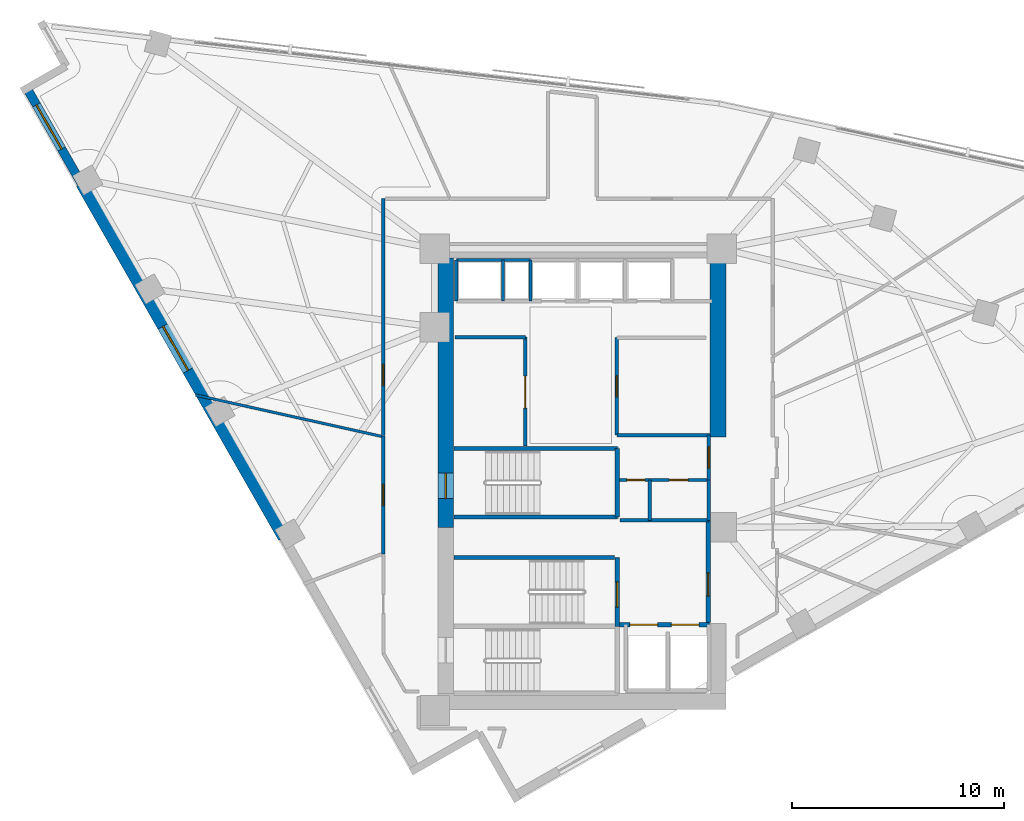
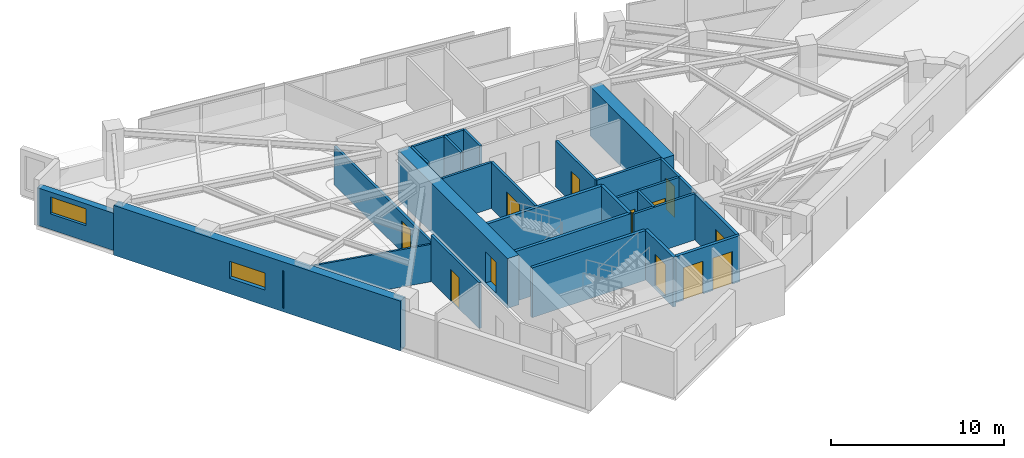
# One storey, part 9 of 13: 27 walls, 12 doors, 2 windows, 14 openings.
"""IFC4 building model written with IfcOpenShell, lengths in metres."""

from ifc_helpers import new_model, si_unit, direction, frame, frame_2d, origin, place, context, subcontext, project, spatial, rectangle, extrude, material, layer, layer_set, type_object, element, fill, save


model = new_model("IFC4")

# Units and contexts
model_context = context("Model", 3, precision=1e-05, world=origin(), true_north=direction((0.0, 1.0)))
body_context = subcontext(model_context, "Body", "Model", "MODEL_VIEW")
ifc_project = project(units=[si_unit("LENGTHUNIT", "METRE"), si_unit("AREAUNIT", "SQUARE_METRE"), si_unit("VOLUMEUNIT", "CUBIC_METRE"), si_unit("PLANEANGLEUNIT", "RADIAN"), si_unit("MASSUNIT", "GRAM", prefix="KILO")], contexts=[model_context])

# Site, building, storey
site_placement = place(None, origin())
site = spatial("IfcSite", under=ifc_project, at=site_placement, CompositionType="ELEMENT")
building_placement = place(site_placement, origin())
building = spatial("IfcBuilding", under=site, at=building_placement, Name="Narakoshi Arena Tower", CompositionType="ELEMENT")
storey_placement = place(building_placement, frame((0.0, 0.0, 225.5400390625)))
storey = spatial("IfcBuildingStorey", under=building, at=storey_placement, Name="L61", CompositionType="ELEMENT", Elevation=225.5400390625)

# Wall, opening, door
ifc_material_1 = material(Name="Concrete C50/60", Category="concrete")
ifc_layer_1 = layer(ifc_material_1, 0.75)
ifc_layer_set_1 = layer_set([ifc_layer_1], Name="Concrete C50/60")
wall_type_1 = type_object("IfcWallType", Name="WL-CORE-750", PredefinedType="SHEAR", material=ifc_layer_set_1)
wall_1_placement = place(storey_placement, frame((72.52490234375, 43.35009765625, -0.260009765625), z_axis=(0.0, 0.0, 1.0), x_axis=(0.0, 1.0, 0.0)))
wall_1 = element("IfcWall", 1, at=wall_1_placement, inside=storey, type_object=wall_type_1, Name="L61 Main Core Shear Wall CW-MN-W", PredefinedType="SHEAR", context=body_context, shape_type="SweptSolid", body=[
    extrude(rectangle(XDim=12.699951171875, YDim=0.75, at=frame_2d((6.35009765625, 0.0))), origin(), (0.0, 0.0, 1.0), 3.52001953125),
])
opening_1_placement = place(wall_1_placement, frame((1.35009765625, 0.0, 0.260009765625)))
opening_1 = element("IfcOpeningElement", 2, at=opening_1_placement, cuts=wall_1, Name="Opening D-03", PredefinedType="OPENING", context=body_context, shape_type="SweptSolid", body=[
    extrude(rectangle(XDim=1.199951171875, YDim=2.199951171875, at=frame_2d((0.60009765625, 1.10009765625))), frame((0.0, 0.385009765625, 0.0), z_axis=(0.0, -1.0, 0.0), x_axis=(1.0, 0.0, 0.0)), (0.0, 0.0, 1.0), 0.77001953125),
])
ifc_material_2 = material(Name="Painted galvanized steel", Category="steel")
door_type_1 = type_object("IfcDoorType", Name="DR-STR-1200", OperationType="NOTDEFINED", PredefinedType="USERDEFINED", material=ifc_material_2)
door_1_placement = place(opening_1_placement, frame((1.199951171875, 0.0, 0.0), z_axis=(0.0, 0.0, 1.0), x_axis=(-1.0, 0.0, 0.0)))
door_1 = element("IfcDoor", 3, at=door_1_placement, inside=storey, type_object=door_type_1, Name="DR-L61-006", ObjectType="EXITDOOR", OperationType="SINGLE_SWING_LEFT", OverallHeight=2.199951171875, OverallWidth=1.199951171875, PredefinedType="USERDEFINED", context=body_context, shape_type="SweptSolid", body=[
    extrude(rectangle(XDim=1.199951171875, YDim=2.199951171875, at=frame_2d((0.60009765625, 1.10009765625))), frame((0.0, 0.02490234375, 0.0), z_axis=(0.0, -1.0, 0.0), x_axis=(1.0, 0.0, 0.0)), (0.0, 0.0, 1.0), 0.050048828125),
])
fill(opening_1, door_1)

# Wall
wall_2_placement = place(storey_placement, frame((85.375, 47.60009765625, -0.260009765625), z_axis=(0.0, 0.0, 1.0), x_axis=(0.0, 1.0, 0.0)))
element("IfcWall", 4, at=wall_2_placement, inside=storey, type_object=wall_type_1, Name="L61 Main Core Shear Wall CW-MN-E", PredefinedType="SHEAR", context=body_context, shape_type="SweptSolid", body=[
    extrude(rectangle(XDim=8.449951171875, YDim=0.75, at=frame_2d((4.22509765625, 0.0))), origin(), (0.0, 0.0, 1.0), 3.52001953125),
])

# Wall, opening, door
ifc_material_3 = material(Name="Gypsum plasterboard fire-rated partition")
ifc_layer_2 = layer(ifc_material_3, 0.1650390625)
ifc_layer_set_2 = layer_set([ifc_layer_2], Name="Gypsum plasterboard fire-rated partition")
wall_type_2 = type_object("IfcWallType", Name="WL-CORR-165", PredefinedType="PARTITIONING", material=ifc_layer_set_2)
wall_3_placement = place(storey_placement, frame((84.949951171875, 45.580078125, 0.0), z_axis=(0.0, 0.0, 1.0), x_axis=(0.0, 1.0, 0.0)))
wall_3 = element("IfcWall", 5, at=wall_3_placement, inside=storey, type_object=wall_type_2, Name="L61 Core Wall CPAS-E", PredefinedType="PARTITIONING", context=body_context, shape_type="SweptSolid", body=[
    extrude(rectangle(XDim=2.119873046875, YDim=0.1650390625, at=frame_2d((1.06005859375, 0.0))), origin(), (0.0, 0.0, 1.0), 3.260009765625),
])
opening_2_placement = place(wall_3_placement, frame((0.56005859375, 0.0, 0.0)))
opening_2 = element("IfcOpeningElement", 6, at=opening_2_placement, cuts=wall_3, Name="Opening D-06", PredefinedType="OPENING", context=body_context, shape_type="SweptSolid", body=[
    extrude(rectangle(XDim=1.0, YDim=2.199951171875, at=frame_2d((0.5, 1.10009765625))), frame((0.0, 0.092529296875, 0.0), z_axis=(0.0, -1.0, 0.0), x_axis=(1.0, 0.0, 0.0)), (0.0, 0.0, 1.0), 0.18505859375),
])
ifc_material_4 = material(Name="Stained oak solid-core timber", Category="wood")
door_type_2 = type_object("IfcDoorType", Name="DR-OFF-1000", OperationType="NOTDEFINED", PredefinedType="DOOR", material=ifc_material_4)
door_2_placement = place(opening_2_placement, frame((1.0, 0.0, 0.0), z_axis=(0.0, 0.0, 1.0), x_axis=(-1.0, 0.0, 0.0)))
door_2 = element("IfcDoor", 7, at=door_2_placement, inside=storey, type_object=door_type_2, Name="DR-L61-007", OperationType="SINGLE_SWING_LEFT", OverallHeight=2.199951171875, OverallWidth=1.0, PredefinedType="DOOR", context=body_context, shape_type="SweptSolid", body=[
    extrude(rectangle(XDim=1.0, YDim=2.199951171875, at=frame_2d((0.5, 1.10009765625))), frame((0.0, 0.02490234375, 0.0), z_axis=(0.0, -1.0, 0.0), x_axis=(1.0, 0.0, 0.0)), (0.0, 0.0, 1.0), 0.050048828125),
])
fill(opening_2, door_2)

wall_4_placement = place(storey_placement, frame((69.583251953125, 47.65625, 0.0), z_axis=(0.0, 0.0, 1.0), x_axis=(0.0, -1.0, 0.0)))
wall_4 = element("IfcWall", 8, at=wall_4_placement, inside=storey, type_object=wall_type_2, Name="L61 Corridor Partition 01-1", PredefinedType="PARTITIONING", context=body_context, shape_type="SweptSolid", body=[
    extrude(rectangle(XDim=5.572265625, YDim=0.1650390625, at=frame_2d((2.7861328125, 0.0))), origin(), (0.0, 0.0, 1.0), 3.260009765625),
])
opening_3_placement = place(wall_4_placement, frame((2.2861328125, 0.0, 0.0)))
opening_3 = element("IfcOpeningElement", 9, at=opening_3_placement, cuts=wall_4, Name="Opening D-06", PredefinedType="OPENING", context=body_context, shape_type="SweptSolid", body=[
    extrude(rectangle(XDim=1.0, YDim=2.199951171875, at=frame_2d((0.5, 1.10009765625))), frame((0.0, 0.092529296875, 0.0), z_axis=(0.0, -1.0, 0.0), x_axis=(1.0, 0.0, 0.0)), (0.0, 0.0, 1.0), 0.18505859375),
])
door_3_placement = place(opening_3_placement, frame((1.0, 0.0, 0.0), z_axis=(0.0, 0.0, 1.0), x_axis=(-1.0, 0.0, 0.0)))
door_3 = element("IfcDoor", 10, at=door_3_placement, inside=storey, type_object=door_type_2, Name="DR-L61-015", OperationType="SINGLE_SWING_LEFT", OverallHeight=2.199951171875, OverallWidth=1.0, PredefinedType="DOOR", context=body_context, shape_type="SweptSolid", body=[
    extrude(rectangle(XDim=1.0, YDim=2.199951171875, at=frame_2d((0.5, 1.10009765625))), frame((0.0, 0.02490234375, 0.0), z_axis=(0.0, -1.0, 0.0), x_axis=(1.0, 0.0, 0.0)), (0.0, 0.0, 1.0), 0.050048828125),
])
fill(opening_3, door_3)

wall_5_placement = place(storey_placement, frame((69.583251953125, 58.86669921875, 0.0), z_axis=(0.0, 0.0, 1.0), x_axis=(0.0, -1.0, 0.0)))
wall_5 = element("IfcWall", 11, at=wall_5_placement, inside=storey, type_object=wall_type_2, Name="L61 Corridor Partition 09-1", PredefinedType="PARTITIONING", context=body_context, shape_type="SweptSolid", body=[
    extrude(rectangle(XDim=11.185791015625, YDim=0.1650390625, at=frame_2d((5.5927734375, 0.0))), origin(), (0.0, 0.0, 1.0), 2.744873046875),
])
opening_4_placement = place(wall_5_placement, frame((7.8330078125, 0.0, 0.0)))
opening_4 = element("IfcOpeningElement", 12, at=opening_4_placement, cuts=wall_5, Name="Opening D-06", PredefinedType="OPENING", context=body_context, shape_type="SweptSolid", body=[
    extrude(rectangle(XDim=1.0, YDim=2.199951171875, at=frame_2d((0.5, 1.10009765625))), frame((0.0, 0.092529296875, 0.0), z_axis=(0.0, -1.0, 0.0), x_axis=(1.0, 0.0, 0.0)), (0.0, 0.0, 1.0), 0.18505859375),
])
door_4_placement = place(opening_4_placement, frame((1.0, 0.0, 0.0), z_axis=(0.0, 0.0, 1.0), x_axis=(-1.0, 0.0, 0.0)))
door_4 = element("IfcDoor", 13, at=door_4_placement, inside=storey, type_object=door_type_2, Name="DR-L61-023", OperationType="SINGLE_SWING_LEFT", OverallHeight=2.199951171875, OverallWidth=1.0, PredefinedType="DOOR", context=body_context, shape_type="SweptSolid", body=[
    extrude(rectangle(XDim=1.0, YDim=2.199951171875, at=frame_2d((0.5, 1.10009765625))), frame((0.0, 0.02490234375, 0.0), z_axis=(0.0, -1.0, 0.0), x_axis=(1.0, 0.0, 0.0)), (0.0, 0.0, 1.0), 0.050048828125),
])
fill(opening_4, door_4)

# Wall, opening, window
ifc_layer_3 = layer(ifc_material_1, 0.550048828125)
ifc_layer_set_3 = layer_set([ifc_layer_3], Name="Concrete C50/60")
wall_type_3 = type_object("IfcWallType", Name="WL-LEG-550", PredefinedType="SHEAR", material=ifc_layer_set_3)
wall_6_placement = place(storey_placement, frame((55.3251953125, 59.5703125, -0.260009765625), z_axis=(0.0, 0.0, 1.0), x_axis=(0.496211351597, -0.868201759124, 0.0)))
wall_6 = element("IfcWall", 14, at=wall_6_placement, inside=storey, type_object=wall_type_3, Name="L61 Architectural Concrete Structural Wall LEGB-2", PredefinedType="SHEAR", context=body_context, shape_type="SweptSolid", body=[
    extrude(rectangle(XDim=19.242919921875, YDim=0.550048828125, at=frame_2d((9.62158203125, 0.0))), origin(), (0.0, 0.0, 1.0), 3.52001953125),
])
opening_5_placement = place(wall_6_placement, frame((7.7568359375, 0.0, 1.10009765625)))
opening_5 = element("IfcOpeningElement", 15, at=opening_5_placement, cuts=wall_6, Name="Opening WN-04", PredefinedType="OPENING", context=body_context, shape_type="SweptSolid", body=[
    extrude(rectangle(XDim=2.39990234375, YDim=1.199951171875, at=frame_2d((1.199951171875, 0.60009765625))), frame((0.0, 0.284912109375, 0.0), z_axis=(0.0, -1.0, 0.0), x_axis=(1.0, 0.0, 0.0)), (0.0, 0.0, 1.0), 0.570068359375),
])
ifc_material_5 = material(Name="Bronze-tinted low-E laminated glass", Category="glass")
window_type = type_object("IfcWindowType", Name="WIN-SLT-24x12", PartitioningType="SINGLE_PANEL", PredefinedType="WINDOW", material=ifc_material_5)
window_1_placement = place(opening_5_placement, origin())
window_1 = element("IfcWindow", 16, at=window_1_placement, inside=storey, type_object=window_type, Name="L61 LEGB2 Horizontal Slot Window 1", OverallHeight=1.199951171875, OverallWidth=2.39990234375, PartitioningType="SINGLE_PANEL", PredefinedType="WINDOW", context=body_context, shape_type="SweptSolid", body=[
    extrude(rectangle(XDim=2.39990234375, YDim=1.199951171875, at=frame_2d((1.199951171875, 0.60009765625))), frame((0.0, 0.030029296875, 0.0), z_axis=(0.0, -1.0, 0.0), x_axis=(1.0, 0.0, 0.0)), (0.0, 0.0, 1.0), 0.06005859375),
])
fill(opening_5, window_1)

# Wall
ifc_layer_4 = layer(ifc_material_3, 0.125)
ifc_layer_set_4 = layer_set([ifc_layer_4], Name="Gypsum plasterboard fire-rated partition")
wall_type_4 = type_object("IfcWallType", Name="WL-PART-125", PredefinedType="PARTITIONING", material=ifc_layer_set_4)
wall_7_placement = place(storey_placement, frame((60.711181640625, 49.59228515625, 0.0), z_axis=(0.0, 0.0, 1.0), x_axis=(0.976196003544, -0.216890208781, 0.0)))
element("IfcWall", 17, at=wall_7_placement, inside=storey, type_object=wall_type_4, Name="L61 Inter-Room Partition 01-09", PredefinedType="PARTITIONING", context=body_context, shape_type="SweptSolid", body=[
    extrude(rectangle(XDim=8.99169921875, YDim=0.125, at=frame_2d((4.495849609375, 0.0))), origin(), (0.0, 0.0, 1.0), 2.64501953125),
])

# Wall, opening, window
ifc_material_6 = material(Name="Precast concrete C45/55", Category="concrete")
ifc_layer_5 = layer(ifc_material_6, 0.419921875)
ifc_layer_set_5 = layer_set([ifc_layer_5], Name="Precast concrete C45/55")
wall_type_5 = type_object("IfcWallType", Name="WL-POD-420", PredefinedType="SOLIDWALL", material=ifc_layer_set_5)
wall_8_placement = place(storey_placement, frame((52.75439453125, 64.068359375, 0.0), z_axis=(0.0, 0.0, 1.0), x_axis=(0.496209984367, -0.868202540548, 0.0)))
wall_8 = element("IfcWall", 18, at=wall_8_placement, inside=storey, type_object=wall_type_5, Name="L61 Architectural Concrete Facade Wall LEGB-1", PredefinedType="SOLIDWALL", context=body_context, shape_type="SweptSolid", body=[
    extrude(rectangle(XDim=5.180908203125, YDim=0.419921875, at=frame_2d((2.59033203125, 0.0))), origin(), (0.0, 0.0, 1.0), 2.64501953125),
])
opening_6_placement = place(wall_8_placement, frame((0.89990234375, 0.0, 1.10009765625)))
opening_6 = element("IfcOpeningElement", 19, at=opening_6_placement, cuts=wall_8, Name="Opening WN-04", PredefinedType="OPENING", context=body_context, shape_type="SweptSolid", body=[
    extrude(rectangle(XDim=2.39990234375, YDim=1.199951171875, at=frame_2d((1.199951171875, 0.60009765625))), frame((0.0, 0.219970703125, 0.0), z_axis=(0.0, -1.0, 0.0), x_axis=(1.0, 0.0, 0.0)), (0.0, 0.0, 1.0), 0.43994140625),
])
window_2_placement = place(opening_6_placement, origin())
window_2 = element("IfcWindow", 20, at=window_2_placement, inside=storey, type_object=window_type, Name="L61 LEGB1 Horizontal Slot Window 1", OverallHeight=1.199951171875, OverallWidth=2.39990234375, PartitioningType="SINGLE_PANEL", PredefinedType="WINDOW", context=body_context, shape_type="SweptSolid", body=[
    extrude(rectangle(XDim=2.39990234375, YDim=1.199951171875, at=frame_2d((1.199951171875, 0.60009765625))), frame((0.0, 0.030029296875, 0.0), z_axis=(0.0, -1.0, 0.0), x_axis=(1.0, 0.0, 0.0)), (0.0, 0.0, 1.0), 0.06005859375),
])
fill(opening_6, window_2)

# Wall
ifc_material_7 = material(Name="Concrete C40/50", Category="concrete")
ifc_layer_6 = layer(ifc_material_7, 0.280029296875)
ifc_layer_set_6 = layer_set([ifc_layer_6], Name="Concrete C40/50")
wall_type_6 = type_object("IfcWallType", Name="WL-RISER-280", PredefinedType="PLUMBINGWALL", material=ifc_layer_set_6)
wall_9_placement = place(storey_placement, frame((84.949951171875, 43.679931640625, 0.0), z_axis=(0.0, 0.0, 1.0), x_axis=(0.0, 1.0, 0.0)))
element("IfcWall", 21, at=wall_9_placement, inside=storey, type_object=wall_type_6, Name="L61 Core Wall RSR-E", PredefinedType="PLUMBINGWALL", context=body_context, shape_type="SweptSolid", body=[
    extrude(rectangle(XDim=1.900146484375, YDim=0.1650390625, at=frame_2d((0.9501953125, 0.0))), origin(), (0.0, 0.0, 1.0), 3.260009765625),
])

# Wall, openings, doors
wall_10_placement = place(storey_placement, frame((80.719970703125, 45.580078125, 0.0), z_axis=(0.0, 0.0, 1.0), x_axis=(1.0, 0.0, 0.0)))
wall_10 = element("IfcWall", 22, at=wall_10_placement, inside=storey, type_object=wall_type_6, Name="L61 Core Wall RSR-N", PredefinedType="PLUMBINGWALL", context=body_context, shape_type="SweptSolid", body=[
    extrude(rectangle(XDim=4.22998046875, YDim=0.159912109375, at=frame_2d((2.114990234375, 0.0))), origin(), (0.0, 0.0, 1.0), 3.260009765625),
])
opening_7_placement = place(wall_10_placement, frame((0.35009765625, 0.0, 0.0)))
opening_7 = element("IfcOpeningElement", 23, at=opening_7_placement, cuts=wall_10, Name="Opening D-10", PredefinedType="OPENING", context=body_context, shape_type="SweptSolid", body=[
    extrude(rectangle(XDim=0.85009765625, YDim=2.050048828125, at=frame_2d((0.425048828125, 1.02490234375))), frame((0.0, 0.08984375, 0.0), z_axis=(0.0, -1.0, 0.0), x_axis=(1.0, 0.0, 0.0)), (0.0, 0.0, 1.0), 0.179931640625),
])
opening_8_placement = place(wall_10_placement, frame((2.35009765625, 0.0, 0.0)))
opening_8 = element("IfcOpeningElement", 24, at=opening_8_placement, cuts=wall_10, Name="Opening D-08", PredefinedType="OPENING", context=body_context, shape_type="SweptSolid", body=[
    extrude(rectangle(XDim=0.89990234375, YDim=2.10009765625, at=frame_2d((0.449951171875, 1.050048828125))), frame((0.0, 0.08984375, 0.0), z_axis=(0.0, -1.0, 0.0), x_axis=(1.0, 0.0, 0.0)), (0.0, 0.0, 1.0), 0.179931640625),
])
door_type_3 = type_object("IfcDoorType", Name="DR-RSR-850", OperationType="NOTDEFINED", PredefinedType="DOOR", material=ifc_material_2)
door_5_placement = place(opening_7_placement, frame((0.85009765625, 0.0, 0.0), z_axis=(0.0, 0.0, 1.0), x_axis=(-1.0, 0.0, 0.0)))
door_5 = element("IfcDoor", 25, at=door_5_placement, inside=storey, type_object=door_type_3, Name="DR-L61-008", OperationType="SINGLE_SWING_LEFT", OverallHeight=2.050048828125, OverallWidth=0.85009765625, PredefinedType="DOOR", context=body_context, shape_type="SweptSolid", body=[
    extrude(rectangle(XDim=0.85009765625, YDim=2.050048828125, at=frame_2d((0.425048828125, 1.02490234375))), frame((0.0, 0.02490234375, 0.0), z_axis=(0.0, -1.0, 0.0), x_axis=(1.0, 0.0, 0.0)), (0.0, 0.0, 1.0), 0.050048828125),
])
fill(opening_7, door_5)
ifc_material_8 = material(Name="Moisture-resistant laminate timber", Category="wood")
door_type_4 = type_object("IfcDoorType", Name="DR-WC-900", OperationType="NOTDEFINED", PredefinedType="DOOR", material=ifc_material_8)
door_6_placement = place(opening_8_placement, frame((0.89990234375, 0.0, 0.0), z_axis=(0.0, 0.0, 1.0), x_axis=(-1.0, 0.0, 0.0)))
door_6 = element("IfcDoor", 26, at=door_6_placement, inside=storey, type_object=door_type_4, Name="DR-L61-009", OperationType="SINGLE_SWING_RIGHT", OverallHeight=2.10009765625, OverallWidth=0.89990234375, PredefinedType="DOOR", context=body_context, shape_type="SweptSolid", body=[
    extrude(rectangle(XDim=0.89990234375, YDim=2.10009765625, at=frame_2d((0.449951171875, 1.050048828125))), frame((0.0, 0.02490234375, 0.0), z_axis=(0.0, -1.0, 0.0), x_axis=(1.0, 0.0, 0.0)), (0.0, 0.0, 1.0), 0.050048828125),
])
fill(opening_8, door_6)

# Walls
wall_11_placement = place(storey_placement, frame((80.760009765625, 43.679931640625, 0.0), z_axis=(0.0, 0.0, 1.0), x_axis=(1.0, 0.0, 0.0)))
element("IfcWall", 27, at=wall_11_placement, inside=storey, type_object=wall_type_6, Name="L61 Core Wall RSR-S", PredefinedType="PLUMBINGWALL", context=body_context, shape_type="SweptSolid", body=[
    extrude(rectangle(XDim=4.18994140625, YDim=0.159912109375, at=frame_2d((2.094970703125, 0.0))), origin(), (0.0, 0.0, 1.0), 3.260009765625),
])
wall_12_placement = place(storey_placement, frame((82.14990234375, 43.679931640625, 0.0), z_axis=(0.0, 0.0, 1.0), x_axis=(0.0, 1.0, 0.0)))
element("IfcWall", 28, at=wall_12_placement, inside=storey, type_object=wall_type_6, Name="L61 Core Wall RSR-M", PredefinedType="PLUMBINGWALL", context=body_context, shape_type="SweptSolid", body=[
    extrude(rectangle(XDim=1.900146484375, YDim=0.159912109375, at=frame_2d((0.9501953125, 0.0))), origin(), (0.0, 0.0, 1.0), 3.260009765625),
])
for number, where, z_axis, x_axis, name in (
    (29, (73.02001953125, 54.02001953125, 0.0), (0.0, 0.0, 1.0), (0.0, 1.0, 0.0), "L61 Core Wall OBS-W"),
    (30, (75.219970703125, 54.02001953125, 0.0), (0.0, 0.0, 1.0), (0.0, 1.0, 0.0), "L61 Core Wall OBS-M"),
):
    element("IfcWall", number, at=place(storey_placement, frame(where, z_axis=z_axis, x_axis=x_axis)), inside=storey, type_object=wall_type_6, Name=name, PredefinedType="PLUMBINGWALL", context=body_context, shape_type="SweptSolid", body=[
        extrude(rectangle(XDim=1.93994140625, YDim=0.14990234375, at=frame_2d((0.969970703125, 0.0))), origin(), (0.0, 0.0, 1.0), 3.260009765625),
    ])

# Wall, opening, door
ifc_layer_7 = layer(ifc_material_1, 0.35009765625)
ifc_layer_set_7 = layer_set([ifc_layer_7], Name="Concrete C50/60")
wall_type_7 = type_object("IfcWallType", Name="WL-SHAFT-350", PredefinedType="SOLIDWALL", material=ifc_layer_set_7)
wall_13_placement = place(storey_placement, frame((80.6201171875, 38.675048828125, -0.260009765625), z_axis=(0.0, 0.0, 1.0), x_axis=(0.0, 1.0, 0.0)))
wall_13 = element("IfcWall", 31, at=wall_13_placement, inside=storey, type_object=wall_type_7, Name="L61 Core Wall ST2-E", PredefinedType="SOLIDWALL", context=body_context, shape_type="SweptSolid", body=[
    extrude(rectangle(XDim=3.244873046875, YDim=0.199951171875, at=frame_2d((1.62255859375, 0.0))), origin(), (0.0, 0.0, 1.0), 3.52001953125),
])
opening_9_placement = place(wall_13_placement, frame((0.89990234375, 0.0, 0.260009765625)))
opening_9 = element("IfcOpeningElement", 32, at=opening_9_placement, cuts=wall_13, Name="Opening D-03", PredefinedType="OPENING", context=body_context, shape_type="SweptSolid", body=[
    extrude(rectangle(XDim=1.199951171875, YDim=2.199951171875, at=frame_2d((0.60009765625, 1.10009765625))), frame((0.0, 0.10986328125, 0.0), z_axis=(0.0, -1.0, 0.0), x_axis=(1.0, 0.0, 0.0)), (0.0, 0.0, 1.0), 0.219970703125),
])
door_7_placement = place(opening_9_placement, origin())
door_7 = element("IfcDoor", 33, at=door_7_placement, inside=storey, type_object=door_type_1, Name="DR-L61-002", ObjectType="EXITDOOR", OperationType="SINGLE_SWING_RIGHT", OverallHeight=2.199951171875, OverallWidth=1.199951171875, PredefinedType="USERDEFINED", context=body_context, shape_type="SweptSolid", body=[
    extrude(rectangle(XDim=1.199951171875, YDim=2.199951171875, at=frame_2d((0.60009765625, 1.10009765625))), frame((0.0, 0.02490234375, 0.0), z_axis=(0.0, -1.0, 0.0), x_axis=(1.0, 0.0, 0.0)), (0.0, 0.0, 1.0), 0.050048828125),
])
fill(opening_9, door_7)

# Wall, openings, doors
wall_14_placement = place(storey_placement, frame((80.719970703125, 38.75, 0.0), z_axis=(0.0, 0.0, 1.0), x_axis=(1.0, 0.0, 0.0)))
wall_14 = element("IfcWall", 34, at=wall_14_placement, inside=storey, type_object=wall_type_7, Name="L61 Core Wall FF-N", PredefinedType="SOLIDWALL", context=body_context, shape_type="SweptSolid", body=[
    extrude(rectangle(XDim=4.260009765625, YDim=0.199951171875, at=frame_2d((2.1298828125, 0.0))), origin(), (0.0, 0.0, 1.0), 3.260009765625),
])
opening_10_placement = place(wall_14_placement, frame((0.5, 0.0, 0.0)))
opening_10 = element("IfcOpeningElement", 35, at=opening_10_placement, cuts=wall_14, Name="Opening LD-02", PredefinedType="OPENING", context=body_context, shape_type="SweptSolid", body=[
    extrude(rectangle(XDim=1.300048828125, YDim=2.300048828125, at=frame_2d((0.64990234375, 1.14990234375))), frame((0.0, 0.10986328125, 0.0), z_axis=(0.0, -1.0, 0.0), x_axis=(1.0, 0.0, 0.0)), (0.0, 0.0, 1.0), 0.219970703125),
])
opening_11_placement = place(wall_14_placement, frame((2.449951171875, 0.0, 0.0)))
opening_11 = element("IfcOpeningElement", 36, at=opening_11_placement, cuts=wall_14, Name="Opening LD-02", PredefinedType="OPENING", context=body_context, shape_type="SweptSolid", body=[
    extrude(rectangle(XDim=1.300048828125, YDim=2.300048828125, at=frame_2d((0.64990234375, 1.14990234375))), frame((0.0, 0.10986328125, 0.0), z_axis=(0.0, -1.0, 0.0), x_axis=(1.0, 0.0, 0.0)), (0.0, 0.0, 1.0), 0.219970703125),
])
ifc_material_9 = material(Name="Brushed bronze stainless steel", Category="steel")
door_type_5 = type_object("IfcDoorType", Name="DR-LFT-1300", OperationType="DOUBLE_DOOR_SLIDING", PredefinedType="DOOR", material=ifc_material_9)
door_8_placement = place(opening_10_placement, origin())
door_8 = element("IfcDoor", 37, at=door_8_placement, inside=storey, type_object=door_type_5, Name="DR-L61-003", OperationType="DOUBLE_DOOR_SLIDING", OverallHeight=2.300048828125, OverallWidth=1.300048828125, PredefinedType="DOOR", context=body_context, shape_type="SweptSolid", body=[
    extrude(rectangle(XDim=1.300048828125, YDim=2.300048828125, at=frame_2d((0.64990234375, 1.14990234375))), frame((0.0, 0.02490234375, 0.0), z_axis=(0.0, -1.0, 0.0), x_axis=(1.0, 0.0, 0.0)), (0.0, 0.0, 1.0), 0.050048828125),
])
fill(opening_10, door_8)
door_9_placement = place(opening_11_placement, origin())
door_9 = element("IfcDoor", 38, at=door_9_placement, inside=storey, type_object=door_type_5, Name="DR-L61-004", OperationType="DOUBLE_DOOR_SLIDING", OverallHeight=2.300048828125, OverallWidth=1.300048828125, PredefinedType="DOOR", context=body_context, shape_type="SweptSolid", body=[
    extrude(rectangle(XDim=1.300048828125, YDim=2.300048828125, at=frame_2d((0.64990234375, 1.14990234375))), frame((0.0, 0.02490234375, 0.0), z_axis=(0.0, -1.0, 0.0), x_axis=(1.0, 0.0, 0.0)), (0.0, 0.0, 1.0), 0.050048828125),
])
fill(opening_11, door_9)

# Wall, opening, door
wall_15_placement = place(storey_placement, frame((84.919921875, 38.85009765625, 0.0), z_axis=(0.0, 0.0, 1.0), x_axis=(0.0, 1.0, 0.0)))
wall_15 = element("IfcWall", 39, at=wall_15_placement, inside=storey, type_object=wall_type_7, Name="L61 Core Wall FFLOB-E", PredefinedType="SOLIDWALL", context=body_context, shape_type="SweptSolid", body=[
    extrude(rectangle(XDim=4.829833984375, YDim=0.199951171875, at=frame_2d((2.4150390625, 0.0))), origin(), (0.0, 0.0, 1.0), 3.260009765625),
])
opening_12_placement = place(wall_15_placement, frame((1.25, 0.0, 0.0)))
opening_12 = element("IfcOpeningElement", 40, at=opening_12_placement, cuts=wall_15, Name="Opening D-04", PredefinedType="OPENING", context=body_context, shape_type="SweptSolid", body=[
    extrude(rectangle(XDim=1.10009765625, YDim=2.199951171875, at=frame_2d((0.550048828125, 1.10009765625))), frame((0.0, 0.10986328125, 0.0), z_axis=(0.0, -1.0, 0.0), x_axis=(1.0, 0.0, 0.0)), (0.0, 0.0, 1.0), 0.219970703125),
])
door_type_6 = type_object("IfcDoorType", Name="DR-FFL-1100", OperationType="NOTDEFINED", PredefinedType="DOOR", material=ifc_material_2)
door_10_placement = place(opening_12_placement, frame((1.10009765625, 0.0, 0.0), z_axis=(0.0, 0.0, 1.0), x_axis=(-1.0, 0.0, 0.0)))
door_10 = element("IfcDoor", 41, at=door_10_placement, inside=storey, type_object=door_type_6, Name="DR-L61-005", OperationType="SINGLE_SWING_RIGHT", OverallHeight=2.199951171875, OverallWidth=1.10009765625, PredefinedType="DOOR", context=body_context, shape_type="SweptSolid", body=[
    extrude(rectangle(XDim=1.10009765625, YDim=2.199951171875, at=frame_2d((0.550048828125, 1.10009765625))), frame((0.0, 0.02490234375, 0.0), z_axis=(0.0, -1.0, 0.0), x_axis=(1.0, 0.0, 0.0)), (0.0, 0.0, 1.0), 0.050048828125),
])
fill(opening_12, door_10)

# Walls
wall_16_placement = place(storey_placement, frame((72.919921875, 41.919921875, -0.260009765625), z_axis=(0.0, 0.0, 1.0), x_axis=(1.0, 0.0, 0.0)))
element("IfcWall", 42, at=wall_16_placement, inside=storey, type_object=wall_type_7, Name="L61 Core Wall ST2-N", PredefinedType="SOLIDWALL", context=body_context, shape_type="SweptSolid", body=[
    extrude(rectangle(XDim=7.580078125, YDim=0.199951171875, at=frame_2d((3.7900390625, 0.0))), origin(), (0.0, 0.0, 1.0), 3.52001953125),
])
for number, where, z_axis, x_axis, name in (
    (43, (72.919921875, 43.830078125, -0.260009765625), (0.0, 0.0, 1.0), (1.0, 0.0, 0.0), "L61 Core Wall ST3-S"),
    (44, (72.919921875, 47.070068359375, -0.260009765625), (0.0, 0.0, 1.0), (1.0, 0.0, 0.0), "L61 Core Wall ST3-N"),
):
    element("IfcWall", number, at=place(storey_placement, frame(where, z_axis=z_axis, x_axis=x_axis)), inside=storey, type_object=wall_type_7, Name=name, PredefinedType="SOLIDWALL", context=body_context, shape_type="SweptSolid", body=[
        extrude(rectangle(XDim=7.7001953125, YDim=0.199951171875, at=frame_2d((3.85009765625, 0.0))), origin(), (0.0, 0.0, 1.0), 3.52001953125),
    ])
wall_17_placement = place(storey_placement, frame((80.6201171875, 43.830078125, -0.260009765625), z_axis=(0.0, 0.0, 1.0), x_axis=(0.0, 1.0, 0.0)))
element("IfcWall", 45, at=wall_17_placement, inside=storey, type_object=wall_type_7, Name="L61 Core Wall ST3-E", PredefinedType="SOLIDWALL", context=body_context, shape_type="SweptSolid", body=[
    extrude(rectangle(XDim=3.239990234375, YDim=0.199951171875, at=frame_2d((1.6201171875, 0.0))), origin(), (0.0, 0.0, 1.0), 3.52001953125),
])

# Wall, opening, door
wall_18_placement = place(storey_placement, frame((76.280029296875, 47.179931640625, 0.0), z_axis=(0.0, 0.0, 1.0), x_axis=(0.0, 1.0, 0.0)))
wall_18 = element("IfcWall", 46, at=wall_18_placement, inside=storey, type_object=wall_type_7, Name="L61 Core Wall LR-E", PredefinedType="SOLIDWALL", context=body_context, shape_type="SweptSolid", body=[
    extrude(rectangle(XDim=5.14013671875, YDim=0.159912109375, at=frame_2d((2.570068359375, 0.0))), origin(), (0.0, 0.0, 1.0), 3.260009765625),
])
opening_13_placement = place(wall_18_placement, frame((1.800048828125, 0.0, 0.0)))
opening_13 = element("IfcOpeningElement", 47, at=opening_13_placement, cuts=wall_18, Name="Opening D-09", PredefinedType="OPENING", context=body_context, shape_type="SweptSolid", body=[
    extrude(rectangle(XDim=1.5, YDim=2.25, at=frame_2d((0.75, 1.125))), frame((0.0, 0.08984375, 0.0), z_axis=(0.0, -1.0, 0.0), x_axis=(1.0, 0.0, 0.0)), (0.0, 0.0, 1.0), 0.179931640625),
])
door_type_7 = type_object("IfcDoorType", Name="DR-PLT-1500", OperationType="DOUBLE_DOOR_SINGLE_SWING", PredefinedType="DOOR", material=ifc_material_2)
door_11_placement = place(opening_13_placement, frame((1.5, 0.0, 0.0), z_axis=(0.0, 0.0, 1.0), x_axis=(-1.0, 0.0, 0.0)))
door_11 = element("IfcDoor", 48, at=door_11_placement, inside=storey, type_object=door_type_7, Name="DR-L61-010", OperationType="DOUBLE_DOOR_SINGLE_SWING", OverallHeight=2.25, OverallWidth=1.5, PredefinedType="DOOR", context=body_context, shape_type="SweptSolid", body=[
    extrude(rectangle(XDim=1.5, YDim=2.25, at=frame_2d((0.75, 1.125))), frame((0.0, 0.02490234375, 0.0), z_axis=(0.0, -1.0, 0.0), x_axis=(1.0, 0.0, 0.0)), (0.0, 0.0, 1.0), 0.050048828125),
])
fill(opening_13, door_11)

# Wall
wall_19_placement = place(storey_placement, frame((72.949951171875, 52.320068359375, 0.0), z_axis=(0.0, 0.0, 1.0), x_axis=(1.0, 0.0, 0.0)))
element("IfcWall", 49, at=wall_19_placement, inside=storey, type_object=wall_type_7, Name="L61 Core Wall LR-N", PredefinedType="SOLIDWALL", context=body_context, shape_type="SweptSolid", body=[
    extrude(rectangle(XDim=3.330078125, YDim=0.14990234375, at=frame_2d((1.6650390625, 0.0))), origin(), (0.0, 0.0, 1.0), 3.260009765625),
])

# Wall, opening, door
wall_20_placement = place(storey_placement, frame((80.60009765625, 47.699951171875, 0.0), z_axis=(0.0, 0.0, 1.0), x_axis=(0.0, 1.0, 0.0)))
wall_20 = element("IfcWall", 50, at=wall_20_placement, inside=storey, type_object=wall_type_7, Name="L61 Core Wall MR-W", PredefinedType="SOLIDWALL", context=body_context, shape_type="SweptSolid", body=[
    extrude(rectangle(XDim=4.60009765625, YDim=0.159912109375, at=frame_2d((2.300048828125, 0.0))), origin(), (0.0, 0.0, 1.0), 3.260009765625),
])
opening_14_placement = place(wall_20_placement, frame((1.800048828125, 0.0, 0.0)))
opening_14 = element("IfcOpeningElement", 51, at=opening_14_placement, cuts=wall_20, Name="Opening D-06", PredefinedType="OPENING", context=body_context, shape_type="SweptSolid", body=[
    extrude(rectangle(XDim=1.0, YDim=2.199951171875, at=frame_2d((0.5, 1.10009765625))), frame((0.0, 0.08984375, 0.0), z_axis=(0.0, -1.0, 0.0), x_axis=(1.0, 0.0, 0.0)), (0.0, 0.0, 1.0), 0.179931640625),
])
door_12_placement = place(opening_14_placement, origin())
door_12 = element("IfcDoor", 52, at=door_12_placement, inside=storey, type_object=door_type_2, Name="DR-L61-011", OperationType="SINGLE_SWING_LEFT", OverallHeight=2.199951171875, OverallWidth=1.0, PredefinedType="DOOR", context=body_context, shape_type="SweptSolid", body=[
    extrude(rectangle(XDim=1.0, YDim=2.199951171875, at=frame_2d((0.5, 1.10009765625))), frame((0.0, 0.02490234375, 0.0), z_axis=(0.0, -1.0, 0.0), x_axis=(1.0, 0.0, 0.0)), (0.0, 0.0, 1.0), 0.050048828125),
])
fill(opening_14, door_12)

# Walls
wall_21_placement = place(storey_placement, frame((80.60009765625, 47.699951171875, 0.0), z_axis=(0.0, 0.0, 1.0), x_axis=(1.0, 0.0, 0.0)))
element("IfcWall", 53, at=wall_21_placement, inside=storey, type_object=wall_type_7, Name="L61 Core Wall MR-S", PredefinedType="SOLIDWALL", context=body_context, shape_type="SweptSolid", body=[
    extrude(rectangle(XDim=4.39990234375, YDim=0.159912109375, at=frame_2d((2.199951171875, 0.0))), origin(), (0.0, 0.0, 1.0), 3.260009765625),
])
wall_22_placement = place(storey_placement, frame((73.02001953125, 55.9599609375, 0.0), z_axis=(0.0, 0.0, 1.0), x_axis=(1.0, 0.0, 0.0)))
element("IfcWall", 54, at=wall_22_placement, inside=storey, type_object=wall_type_7, Name="L61 Core Wall OBS-N", PredefinedType="SOLIDWALL", context=body_context, shape_type="SweptSolid", body=[
    extrude(rectangle(XDim=3.5, YDim=0.14990234375, at=frame_2d((1.75, 0.0))), origin(), (0.0, 0.0, 1.0), 3.260009765625),
])
wall_23_placement = place(storey_placement, frame((76.52001953125, 54.02001953125, 0.0), z_axis=(0.0, 0.0, 1.0), x_axis=(0.0, 1.0, 0.0)))
element("IfcWall", 55, at=wall_23_placement, inside=storey, type_object=wall_type_7, Name="L61 Core Wall OBS-E", PredefinedType="SOLIDWALL", context=body_context, shape_type="SweptSolid", body=[
    extrude(rectangle(XDim=1.93994140625, YDim=0.14990234375, at=frame_2d((0.969970703125, 0.0))), origin(), (0.0, 0.0, 1.0), 3.260009765625),
])

save(model, "model.ifc")
